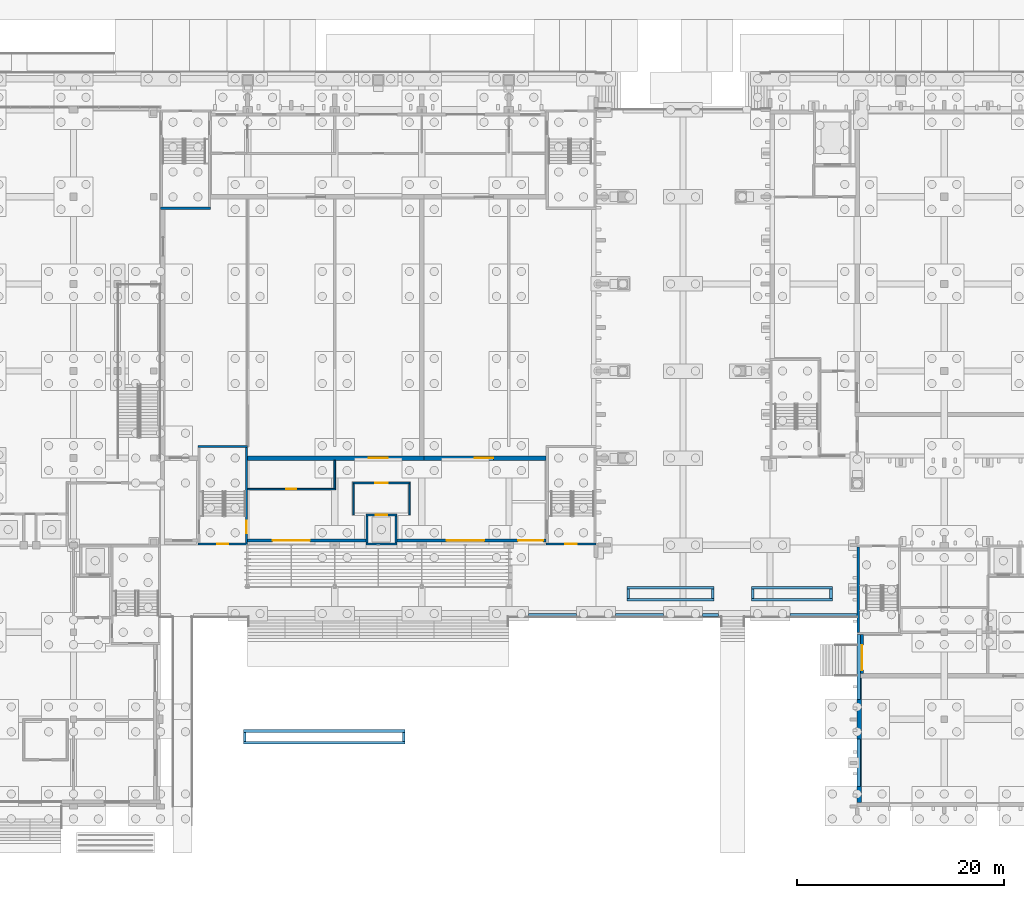
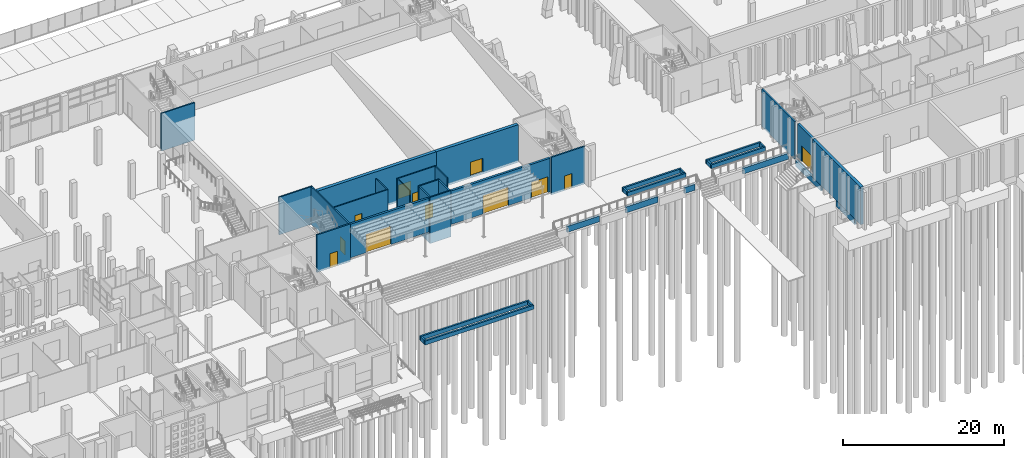
# One storey, part 48 of 129: 39 walls, 12 doors, 12 openings.
"""IFC4 building model written with IfcOpenShell, lengths in metres."""

from ifc_helpers import new_model, si_unit, direction, frame, frame_2d, origin, place, context, subcontext, project, spatial, rectangle, extrude, material, layer, layer_set, type_object, element, fill, save


model = new_model("IFC4")

# Units and contexts
model_context = context("Model", 3, precision=1e-05, world=origin(), true_north=direction((0.0, 1.0)))
body_context = subcontext(model_context, "Body", "Model", "MODEL_VIEW")
ifc_project = project(units=[si_unit("LENGTHUNIT", "METRE"), si_unit("AREAUNIT", "SQUARE_METRE"), si_unit("VOLUMEUNIT", "CUBIC_METRE"), si_unit("PLANEANGLEUNIT", "RADIAN"), si_unit("MASSUNIT", "GRAM", prefix="KILO")], contexts=[model_context])

# Site, building, storey
site_placement = place(None, origin())
site = spatial("IfcSite", under=ifc_project, at=site_placement, CompositionType="ELEMENT")
building_placement = place(site_placement, origin())
building = spatial("IfcBuilding", under=site, at=building_placement, Name="Kiln Court Media Centre", CompositionType="ELEMENT")
storey_placement = place(building_placement, origin())
storey = spatial("IfcBuildingStorey", under=building, at=storey_placement, Name="L00", CompositionType="ELEMENT", Elevation=0.0)

# Wall, opening, door
ifc_material_1 = material(Name="Concrete block masonry M7.5", Category="masonry")
ifc_layer_1 = layer(ifc_material_1, 0.14990234375)
ifc_layer_set_1 = layer_set([ifc_layer_1], Name="Block lobby wall 150 EI 120")
wall_type_1 = type_object("IfcWallType", Name="Block lobby wall 150 EI 120", PredefinedType="SOLIDWALL", material=ifc_layer_set_1)
wall_1_placement = place(storey_placement, frame((77.324951171875, 31.199951171875, 0.0), z_axis=(0.0, 0.0, 1.0), x_axis=(1.0, 0.0, 0.0)))
wall_1 = element("IfcWall", 1, at=wall_1_placement, inside=storey, type_object=wall_type_1, Name="L00 block lobby wall", PredefinedType="SOLIDWALL", context=body_context, shape_type="SweptSolid", body=[
    extrude(rectangle(XDim=5.550048828125, YDim=0.14990234375, at=frame_2d((2.77490234375, 0.0))), origin(), (0.0, 0.0, 1.0), 5.10009765625),
])
opening_1_placement = place(wall_1_placement, frame((2.175048828125, 0.0, 0.0)))
opening_1 = element("IfcOpeningElement", 2, at=opening_1_placement, cuts=wall_1, Name="Opening D0053", PredefinedType="OPENING", context=body_context, shape_type="SweptSolid", body=[
    extrude(rectangle(XDim=1.199951171875, YDim=2.10009765625, at=frame_2d((0.60009765625, 1.050048828125))), frame((0.0, 0.0849609375, 0.0), z_axis=(0.0, -1.0, 0.0), x_axis=(1.0, 0.0, 0.0)), (0.0, 0.0, 1.0), 0.169921875),
])
ifc_material_2 = material(Name="Steel S275", Category="steel")
door_type_1 = type_object("IfcDoorType", Name="Steel lobby door 1200 x 2100 FD120", OperationType="SINGLE_SWING_LEFT", PredefinedType="DOOR", material=ifc_material_2)
door_1_placement = place(opening_1_placement, origin())
door_1 = element("IfcDoor", 3, at=door_1_placement, inside=storey, type_object=door_type_1, Name="Cinema Foyer / Fire-fighting Lift Lobby", OperationType="SINGLE_SWING_LEFT", OverallHeight=2.10009765625, OverallWidth=1.199951171875, PredefinedType="DOOR", context=body_context, shape_type="SweptSolid", body=[
    extrude(rectangle(XDim=1.199951171875, YDim=2.10009765625, at=frame_2d((0.60009765625, 1.050048828125))), frame((0.0, 0.02490234375, 0.0), z_axis=(0.0, -1.0, 0.0), x_axis=(1.0, 0.0, 0.0)), (0.0, 0.0, 1.0), 0.050048828125),
])
fill(opening_1, door_1)

# Walls
for number, where, z_axis, x_axis, name in (
    (4, (77.39990234375, 28.125, 0.0), (0.0, 0.0, 1.0), (0.0, 1.0, 0.0), "L00 block lobby wall"),
    (5, (82.800048828125, 28.125, 0.0), (0.0, 0.0, 1.0), (0.0, 1.0, 0.0), "L00 block lobby wall"),
):
    element("IfcWall", number, at=place(storey_placement, frame(where, z_axis=z_axis, x_axis=x_axis)), inside=storey, type_object=wall_type_1, Name=name, PredefinedType="SOLIDWALL", context=body_context, shape_type="SweptSolid", body=[
        extrude(rectangle(XDim=3.0, YDim=0.14990234375, at=frame_2d((1.5, 0.0))), origin(), (0.0, 0.0, 1.0), 5.10009765625),
    ])
ifc_material_3 = material(Name="Concrete C30/37", Category="concrete")
ifc_layer_2 = layer(ifc_material_3, 0.25)
ifc_layer_set_2 = layer_set([ifc_layer_2], Name="Concrete C30/37 planter wall 250")
wall_type_2 = type_object("IfcWallType", Name="Concrete C30/37 planter wall 250", PredefinedType="PARAPET", material=ifc_layer_set_2)
for number, where, z_axis, x_axis, name in (
    (6, (103.800048828125, 19.925048828125, 0.0), (0.0, 0.0, 1.0), (1.0, 0.0, 0.0), "Forecourt planter 1 south wall"),
    (7, (103.800048828125, 21.074951171875, 0.0), (0.0, 0.0, 1.0), (1.0, 0.0, 0.0), "Forecourt planter 1 north wall"),
):
    element("IfcWall", number, at=place(storey_placement, frame(where, z_axis=z_axis, x_axis=x_axis)), inside=storey, type_object=wall_type_2, Name=name, PredefinedType="PARAPET", context=body_context, shape_type="SweptSolid", body=[
        extrude(rectangle(XDim=8.39990234375, YDim=0.25, at=frame_2d((4.199951171875, 0.0))), origin(), (0.0, 0.0, 1.0), 0.60009765625),
    ])
for number, where, z_axis, x_axis, name in (
    (8, (103.925048828125, 20.050048828125, 0.0), (0.0, 0.0, 1.0), (0.0, 1.0, 0.0), "Forecourt planter 1 west wall"),
    (9, (112.074951171875, 20.050048828125, 0.0), (0.0, 0.0, 1.0), (0.0, 1.0, 0.0), "Forecourt planter 1 east wall"),
):
    element("IfcWall", number, at=place(storey_placement, frame(where, z_axis=z_axis, x_axis=x_axis)), inside=storey, type_object=wall_type_2, Name=name, PredefinedType="PARAPET", context=body_context, shape_type="SweptSolid", body=[
        extrude(rectangle(XDim=0.89990234375, YDim=0.25, at=frame_2d((0.449951171875, 0.0))), origin(), (0.0, 0.0, 1.0), 0.60009765625),
    ])
for number, where, z_axis, x_axis, name in (
    (10, (115.800048828125, 19.925048828125, 0.0), (0.0, 0.0, 1.0), (1.0, 0.0, 0.0), "Forecourt planter 2 south wall"),
    (11, (115.800048828125, 21.074951171875, 0.0), (0.0, 0.0, 1.0), (1.0, 0.0, 0.0), "Forecourt planter 2 north wall"),
):
    element("IfcWall", number, at=place(storey_placement, frame(where, z_axis=z_axis, x_axis=x_axis)), inside=storey, type_object=wall_type_2, Name=name, PredefinedType="PARAPET", context=body_context, shape_type="SweptSolid", body=[
        extrude(rectangle(XDim=7.800048828125, YDim=0.25, at=frame_2d((3.89990234375, 0.0))), origin(), (0.0, 0.0, 1.0), 0.60009765625),
    ])
for number, where, z_axis, x_axis, name in (
    (12, (115.925048828125, 20.050048828125, 0.0), (0.0, 0.0, 1.0), (0.0, 1.0, 0.0), "Forecourt planter 2 west wall"),
    (13, (123.47509765625, 20.050048828125, 0.0), (0.0, 0.0, 1.0), (0.0, 1.0, 0.0), "Forecourt planter 2 east wall"),
):
    element("IfcWall", number, at=place(storey_placement, frame(where, z_axis=z_axis, x_axis=x_axis)), inside=storey, type_object=wall_type_2, Name=name, PredefinedType="PARAPET", context=body_context, shape_type="SweptSolid", body=[
        extrude(rectangle(XDim=0.89990234375, YDim=0.25, at=frame_2d((0.449951171875, 0.0))), origin(), (0.0, 0.0, 1.0), 0.60009765625),
    ])
for number, where, z_axis, x_axis, name in (
    (14, (66.800048828125, 6.125, -1.199951171875), (0.0, 0.0, 1.0), (1.0, 0.0, 0.0), "Plaza planter 1 south wall"),
    (15, (66.800048828125, 7.27490234375, -1.199951171875), (0.0, 0.0, 1.0), (1.0, 0.0, 0.0), "Plaza planter 1 north wall"),
):
    element("IfcWall", number, at=place(storey_placement, frame(where, z_axis=z_axis, x_axis=x_axis)), inside=storey, type_object=wall_type_2, Name=name, PredefinedType="PARAPET", context=body_context, shape_type="SweptSolid", body=[
        extrude(rectangle(XDim=15.599853515625, YDim=0.25, at=frame_2d((7.7998046875, 0.0))), origin(), (0.0, 0.0, 1.0), 0.599853515625),
    ])
for number, where, z_axis, x_axis, name in (
    (16, (66.925048828125, 6.25, -1.199951171875), (0.0, 0.0, 1.0), (0.0, 1.0, 0.0), "Plaza planter 1 west wall"),
    (17, (82.27490234375, 6.25, -1.199951171875), (0.0, 0.0, 1.0), (0.0, 1.0, 0.0), "Plaza planter 1 east wall"),
):
    element("IfcWall", number, at=place(storey_placement, frame(where, z_axis=z_axis, x_axis=x_axis)), inside=storey, type_object=wall_type_2, Name=name, PredefinedType="PARAPET", context=body_context, shape_type="SweptSolid", body=[
        extrude(rectangle(XDim=0.89990234375, YDim=0.25, at=frame_2d((0.449951171875, 0.0))), origin(), (0.0, 0.0, 1.0), 0.599853515625),
    ])
ifc_material_4 = material(Name="Concrete C30/37", Category="concrete")
ifc_layer_3 = layer(ifc_material_4, 0.300048828125)
ifc_layer_set_3 = layer_set([ifc_layer_3], Name="Concrete C30/37 plinth wall 300")
wall_type_3 = type_object("IfcWallType", Name="Concrete C30/37 plinth wall 300", PredefinedType="SOLIDWALL", material=ifc_layer_set_3)
wall_2_placement = place(storey_placement, frame((98.89990234375, 18.449951171875, -1.199951171875), z_axis=(0.0, 0.0, 1.0), x_axis=(-1.0, 0.0, 0.0)))
element("IfcWall", 18, at=wall_2_placement, inside=storey, type_object=wall_type_3, Name="L00-W-1176", PredefinedType="SOLIDWALL", context=body_context, shape_type="SweptSolid", body=[
    extrude(rectangle(XDim=4.599853515625, YDim=0.300048828125, at=frame_2d((2.2998046875, 0.0))), origin(), (0.0, 0.0, 1.0), 0.89990234375),
])
wall_3_placement = place(storey_placement, frame((107.300048828125, 18.449951171875, -1.199951171875), z_axis=(0.0, 0.0, 1.0), x_axis=(-1.0, 0.0, 0.0)))
element("IfcWall", 19, at=wall_3_placement, inside=storey, type_object=wall_type_3, Name="L00-W-1177", PredefinedType="SOLIDWALL", context=body_context, shape_type="SweptSolid", body=[
    extrude(rectangle(XDim=4.60009765625, YDim=0.300048828125, at=frame_2d((2.300048828125, 0.0))), origin(), (0.0, 0.0, 1.0), 0.89990234375),
])
wall_4_placement = place(storey_placement, frame((112.60009765625, 18.449951171875, -1.199951171875), z_axis=(0.0, 0.0, 1.0), x_axis=(-1.0, 0.0, 0.0)))
element("IfcWall", 20, at=wall_4_placement, inside=storey, type_object=wall_type_3, Name="L00-W-1178", PredefinedType="SOLIDWALL", context=body_context, shape_type="SweptSolid", body=[
    extrude(rectangle(XDim=1.5, YDim=0.300048828125, at=frame_2d((0.75, 0.0))), origin(), (0.0, 0.0, 1.0), 0.89990234375),
])
wall_5_placement = place(storey_placement, frame((125.9990234375, 18.449951171875, -1.199951171875), z_axis=(0.0, 0.0, 1.0), x_axis=(-1.0, 0.0, 0.0)))
element("IfcWall", 21, at=wall_5_placement, inside=storey, type_object=wall_type_3, Name="L00-W-1179", PredefinedType="SOLIDWALL", context=body_context, shape_type="SweptSolid", body=[
    extrude(rectangle(XDim=6.4990234375, YDim=0.300048828125, at=frame_2d((3.24951171875, 0.0))), origin(), (0.0, 0.0, 1.0), 0.89990234375),
])
wall_6_placement = place(storey_placement, frame((126.14990234375, 1.89990234375, -1.199951171875), z_axis=(0.0, 0.0, 1.0), x_axis=(0.0, 1.0, 0.0)))
element("IfcWall", 22, at=wall_6_placement, inside=storey, type_object=wall_type_3, Name="L00-W-1180", PredefinedType="SOLIDWALL", context=body_context, shape_type="SweptSolid", body=[
    extrude(rectangle(XDim=4.60009765625, YDim=0.300048828125, at=frame_2d((2.300048828125, 0.0))), origin(), (0.0, 0.0, 1.0), 0.89990234375),
])
wall_7_placement = place(storey_placement, frame((126.14990234375, 10.300048828125, -1.199951171875), z_axis=(0.0, 0.0, 1.0), x_axis=(0.0, 1.0, 0.0)))
element("IfcWall", 23, at=wall_7_placement, inside=storey, type_object=wall_type_3, Name="L00-W-1181", PredefinedType="SOLIDWALL", context=body_context, shape_type="SweptSolid", body=[
    extrude(rectangle(XDim=6.300048828125, YDim=0.300048828125, at=frame_2d((3.14990234375, 0.0))), origin(), (0.0, 0.0, 1.0), 0.89990234375),
])

# Wall, opening, door
ifc_material_5 = material(Name="Concrete C40/50", Category="concrete")
ifc_layer_4 = layer(ifc_material_5, 0.449951171875)
ifc_layer_set_4 = layer_set([ifc_layer_4], Name="Concrete C40/50 auditorium wall 450")
wall_type_4 = type_object("IfcWallType", Name="Concrete C40/50 auditorium wall 450", PredefinedType="SHEAR", material=ifc_layer_set_4)
wall_8_placement = place(storey_placement, frame((84.22509765625, 33.60009765625, -0.300048828125), z_axis=(0.0, 0.0, 1.0), x_axis=(-1.0, 0.0, 0.0)))
wall_8 = element("IfcWall", 24, at=wall_8_placement, inside=storey, type_object=wall_type_4, Name="L00-W-1111", PredefinedType="SHEAR", context=body_context, shape_type="SweptSolid", body=[
    extrude(rectangle(XDim=17.025146484375, YDim=0.449951171875, at=frame_2d((8.5126953125, 0.0))), origin(), (0.0, 0.0, 1.0), 5.699951171875),
])
opening_2_placement = place(wall_8_placement, frame((3.525146484375, 0.0, 0.300048828125)))
opening_2 = element("IfcOpeningElement", 25, at=opening_2_placement, cuts=wall_8, Name="Opening D0075", PredefinedType="OPENING", context=body_context, shape_type="SweptSolid", body=[
    extrude(rectangle(XDim=1.800048828125, YDim=2.10009765625, at=frame_2d((0.89990234375, 1.050048828125))), frame((0.0, 0.23486328125, 0.0), z_axis=(0.0, -1.0, 0.0), x_axis=(1.0, 0.0, 0.0)), (0.0, 0.0, 1.0), 0.469970703125),
])
ifc_material_6 = material(Name="Steel S275", Category="steel")
door_type_2 = type_object("IfcDoorType", Name="Acoustic cinema double door 1800 x 2100 FD180", OperationType="DOUBLE_DOOR_SINGLE_SWING", PredefinedType="DOOR", material=ifc_material_6)
door_2_placement = place(opening_2_placement, origin())
door_2 = element("IfcDoor", 26, at=door_2_placement, inside=storey, type_object=door_type_2, Name="Cinema Foyer / Cinema Screen 1", OperationType="DOUBLE_DOOR_SINGLE_SWING", OverallHeight=2.10009765625, OverallWidth=1.800048828125, PredefinedType="DOOR", context=body_context, shape_type="SweptSolid", body=[
    extrude(rectangle(XDim=1.800048828125, YDim=2.10009765625, at=frame_2d((0.89990234375, 1.050048828125))), frame((0.0, 0.02490234375, 0.0), z_axis=(0.0, -1.0, 0.0), x_axis=(1.0, 0.0, 0.0)), (0.0, 0.0, 1.0), 0.050048828125),
])
fill(opening_2, door_2)

wall_9_placement = place(storey_placement, frame((96.0, 33.60009765625, -0.300048828125), z_axis=(0.0, 0.0, 1.0), x_axis=(-1.0, 0.0, 0.0)))
wall_9 = element("IfcWall", 27, at=wall_9_placement, inside=storey, type_object=wall_type_4, Name="L00-W-1115", PredefinedType="SHEAR", context=body_context, shape_type="SweptSolid", body=[
    extrude(rectangle(XDim=11.77490234375, YDim=0.449951171875, at=frame_2d((5.887451171875, 0.0))), origin(), (0.0, 0.0, 1.0), 5.699951171875),
])
opening_3_placement = place(wall_9_placement, frame((5.10009765625, 0.0, 0.300048828125)))
opening_3 = element("IfcOpeningElement", 28, at=opening_3_placement, cuts=wall_9, Name="Opening D0054", PredefinedType="OPENING", context=body_context, shape_type="SweptSolid", body=[
    extrude(rectangle(XDim=1.800048828125, YDim=2.10009765625, at=frame_2d((0.89990234375, 1.050048828125))), frame((0.0, 0.23486328125, 0.0), z_axis=(0.0, -1.0, 0.0), x_axis=(1.0, 0.0, 0.0)), (0.0, 0.0, 1.0), 0.469970703125),
])
door_3_placement = place(opening_3_placement, origin())
door_3 = element("IfcDoor", 29, at=door_3_placement, inside=storey, type_object=door_type_2, Name="Cinema Foyer / Cinema Screen 2", OperationType="DOUBLE_DOOR_SINGLE_SWING", OverallHeight=2.10009765625, OverallWidth=1.800048828125, PredefinedType="DOOR", context=body_context, shape_type="SweptSolid", body=[
    extrude(rectangle(XDim=1.800048828125, YDim=2.10009765625, at=frame_2d((0.89990234375, 1.050048828125))), frame((0.0, 0.02490234375, 0.0), z_axis=(0.0, -1.0, 0.0), x_axis=(1.0, 0.0, 0.0)), (0.0, 0.0, 1.0), 0.050048828125),
])
fill(opening_3, door_3)

ifc_material_7 = material(Name="Concrete C40/50", Category="concrete")
ifc_layer_5 = layer(ifc_material_7, 0.300048828125)
ifc_layer_set_5 = layer_set([ifc_layer_5], Name="Concrete C40/50 board-marked facade wall 300")
wall_type_5 = type_object("IfcWallType", Name="Concrete C40/50 board-marked facade wall 300", PredefinedType="SOLIDWALL", material=ifc_layer_set_5)
wall_10_placement = place(storey_placement, frame((78.60009765625, 25.64990234375, 0.0), z_axis=(0.0, 0.0, 1.0), x_axis=(-1.0, 0.0, 0.0)))
wall_10 = element("IfcWall", 30, at=wall_10_placement, inside=storey, type_object=wall_type_5, Name="V1 S facade wall 4003", PredefinedType="SOLIDWALL", context=body_context, shape_type="SweptSolid", body=[
    extrude(rectangle(XDim=11.400146484375, YDim=0.300048828125, at=frame_2d((5.7001953125, 0.0))), origin(), (0.0, 0.0, 1.0), 5.10009765625),
])
opening_4_placement = place(wall_10_placement, frame((5.39990234375, 0.0, 0.0)))
opening_4 = element("IfcOpeningElement", 31, at=opening_4_placement, cuts=wall_10, Name="Opening D0760", PredefinedType="OPENING", context=body_context, shape_type="SweptSolid", body=[
    extrude(rectangle(XDim=3.60009765625, YDim=2.800048828125, at=frame_2d((1.800048828125, 1.39990234375))), frame((0.0, 0.159912109375, 0.0), z_axis=(0.0, -1.0, 0.0), x_axis=(1.0, 0.0, 0.0)), (0.0, 0.0, 1.0), 0.320068359375),
])
ifc_material_8 = material(Name="Aluminium 6063-T6", Category="aluminium")
door_type_3 = type_object("IfcDoorType", Name="Aluminium glazed entrance door 3600x2800", OperationType="DOUBLE_DOOR_DOUBLE_SWING", PredefinedType="DOOR", material=ifc_material_8)
door_4_placement = place(opening_4_placement, origin())
door_4 = element("IfcDoor", 32, at=door_4_placement, inside=storey, type_object=door_type_3, Name="EN-08 entrance door 1", OperationType="DOUBLE_DOOR_DOUBLE_SWING", OverallHeight=2.800048828125, OverallWidth=3.60009765625, PredefinedType="DOOR", context=body_context, shape_type="SweptSolid", body=[
    extrude(rectangle(XDim=3.60009765625, YDim=2.800048828125, at=frame_2d((1.800048828125, 1.39990234375))), frame((0.0, 0.02490234375, 0.0), z_axis=(0.0, -1.0, 0.0), x_axis=(1.0, 0.0, 0.0)), (0.0, 0.0, 1.0), 0.050048828125),
])
fill(opening_4, door_4)

# Wall, openings, doors
wall_11_placement = place(storey_placement, frame((96.0, 25.64990234375, 0.0), z_axis=(0.0, 0.0, 1.0), x_axis=(-1.0, 0.0, 0.0)))
wall_11 = element("IfcWall", 33, at=wall_11_placement, inside=storey, type_object=wall_type_5, Name="V1 S facade wall 4004", PredefinedType="SOLIDWALL", context=body_context, shape_type="SweptSolid", body=[
    extrude(rectangle(XDim=14.39990234375, YDim=0.300048828125, at=frame_2d((7.199951171875, 0.0))), origin(), (0.0, 0.0, 1.0), 5.10009765625),
])
opening_5_placement = place(wall_11_placement, frame((6.0, 0.0, 0.0)))
opening_5 = element("IfcOpeningElement", 34, at=opening_5_placement, cuts=wall_11, Name="Opening D0761", PredefinedType="OPENING", context=body_context, shape_type="SweptSolid", body=[
    extrude(rectangle(XDim=3.60009765625, YDim=2.800048828125, at=frame_2d((1.800048828125, 1.39990234375))), frame((0.0, 0.159912109375, 0.0), z_axis=(0.0, -1.0, 0.0), x_axis=(1.0, 0.0, 0.0)), (0.0, 0.0, 1.0), 0.320068359375),
])
opening_6_placement = place(wall_11_placement, frame((0.300048828125, 0.0, 0.0)))
opening_6 = element("IfcOpeningElement", 35, at=opening_6_placement, cuts=wall_11, Name="Opening D0762", PredefinedType="OPENING", context=body_context, shape_type="SweptSolid", body=[
    extrude(rectangle(XDim=2.39990234375, YDim=2.39990234375, at=frame_2d((1.199951171875, 1.199951171875))), frame((0.0, 0.159912109375, 0.0), z_axis=(0.0, -1.0, 0.0), x_axis=(1.0, 0.0, 0.0)), (0.0, 0.0, 1.0), 0.320068359375),
])
ifc_material_9 = material(Name="Aluminium 6063-T6", Category="aluminium")
door_type_4 = type_object("IfcDoorType", Name="Aluminium glazed entrance door 2400x2400", OperationType="DOUBLE_DOOR_DOUBLE_SWING", PredefinedType="DOOR", material=ifc_material_9)
door_5_placement = place(opening_6_placement, origin())
door_5 = element("IfcDoor", 36, at=door_5_placement, inside=storey, type_object=door_type_4, Name="EN-13 entrance door 1", OperationType="DOUBLE_DOOR_DOUBLE_SWING", OverallHeight=2.39990234375, OverallWidth=2.39990234375, PredefinedType="DOOR", context=body_context, shape_type="SweptSolid", body=[
    extrude(rectangle(XDim=2.39990234375, YDim=2.39990234375, at=frame_2d((1.199951171875, 1.199951171875))), frame((0.0, 0.02490234375, 0.0), z_axis=(0.0, -1.0, 0.0), x_axis=(1.0, 0.0, 0.0)), (0.0, 0.0, 1.0), 0.050048828125),
])
fill(opening_6, door_5)
door_6_placement = place(opening_5_placement, origin())
door_6 = element("IfcDoor", 37, at=door_6_placement, inside=storey, type_object=door_type_3, Name="EN-09 entrance door 1", OperationType="DOUBLE_DOOR_DOUBLE_SWING", OverallHeight=2.800048828125, OverallWidth=3.60009765625, PredefinedType="DOOR", context=body_context, shape_type="SweptSolid", body=[
    extrude(rectangle(XDim=3.60009765625, YDim=2.800048828125, at=frame_2d((1.800048828125, 1.39990234375))), frame((0.0, 0.02490234375, 0.0), z_axis=(0.0, -1.0, 0.0), x_axis=(1.0, 0.0, 0.0)), (0.0, 0.0, 1.0), 0.050048828125),
])
fill(opening_5, door_6)

# Wall, opening, door
wall_12_placement = place(storey_placement, frame((126.449951171875, 12.800048828125, 0.0), z_axis=(0.0, 0.0, 1.0), x_axis=(0.0, 1.0, 0.0)))
wall_12 = element("IfcWall", 38, at=wall_12_placement, inside=storey, type_object=wall_type_5, Name="V5 W facade wall 4012", PredefinedType="SOLIDWALL", context=body_context, shape_type="SweptSolid", body=[
    extrude(rectangle(XDim=3.800048828125, YDim=0.300048828125, at=frame_2d((1.89990234375, 0.0))), origin(), (0.0, 0.0, 1.0), 5.10009765625),
])
opening_7_placement = place(wall_12_placement, frame((0.35009765625, 0.0, 0.0)))
opening_7 = element("IfcOpeningElement", 39, at=opening_7_placement, cuts=wall_12, Name="Opening D0782", PredefinedType="OPENING", context=body_context, shape_type="SweptSolid", body=[
    extrude(rectangle(XDim=2.39990234375, YDim=2.39990234375, at=frame_2d((1.199951171875, 1.199951171875))), frame((0.0, 0.159912109375, 0.0), z_axis=(0.0, -1.0, 0.0), x_axis=(1.0, 0.0, 0.0)), (0.0, 0.0, 1.0), 0.320068359375),
])
door_7_placement = place(opening_7_placement, origin())
door_7 = element("IfcDoor", 40, at=door_7_placement, inside=storey, type_object=door_type_4, Name="EN-10 entrance door 1", OperationType="DOUBLE_DOOR_DOUBLE_SWING", OverallHeight=2.39990234375, OverallWidth=2.39990234375, PredefinedType="DOOR", context=body_context, shape_type="SweptSolid", body=[
    extrude(rectangle(XDim=2.39990234375, YDim=2.39990234375, at=frame_2d((1.199951171875, 1.199951171875))), frame((0.0, 0.02490234375, 0.0), z_axis=(0.0, -1.0, 0.0), x_axis=(1.0, 0.0, 0.0)), (0.0, 0.0, 1.0), 0.050048828125),
])
fill(opening_7, door_7)

ifc_material_10 = material(Name="Concrete C40/50", Category="concrete")
ifc_layer_6 = layer(ifc_material_10, 0.199951171875)
ifc_layer_set_6 = layer_set([ifc_layer_6], Name="Concrete C40/50 shear wall 200")
wall_type_6 = type_object("IfcWallType", Name="Concrete C40/50 shear wall 200", PredefinedType="SHEAR", material=ifc_layer_set_6)
wall_13_placement = place(storey_placement, frame((67.199951171875, 25.300048828125, -0.300048828125), z_axis=(0.0, 0.0, 1.0), x_axis=(-1.0, 0.0, 0.0)))
wall_13 = element("IfcWall", 41, at=wall_13_placement, inside=storey, type_object=wall_type_6, Name="L00-W-1032", PredefinedType="SHEAR", context=body_context, shape_type="SweptSolid", body=[
    extrude(rectangle(XDim=4.800048828125, YDim=0.199951171875, at=frame_2d((2.39990234375, 0.0))), origin(), (0.0, 0.0, 1.0), 5.699951171875),
])
opening_8_placement = place(wall_13_placement, frame((1.85009765625, 0.0, 0.0)))
opening_8 = element("IfcOpeningElement", 42, at=opening_8_placement, cuts=wall_13, Name="Opening D0757", PredefinedType="OPENING", context=body_context, shape_type="SweptSolid", body=[
    extrude(rectangle(XDim=1.10009765625, YDim=2.199951171875, at=frame_2d((0.550048828125, 1.10009765625))), frame((0.0, 0.10986328125, 0.0), z_axis=(0.0, -1.0, 0.0), x_axis=(1.0, 0.0, 0.0)), (0.0, 0.0, 1.0), 0.219970703125),
])
ifc_material_11 = material(Name="Steel ASTM A572 Gr 50", Category="steel")
door_type_5 = type_object("IfcDoorType", Name="Steel hall exit door 1100x2200", OperationType="SINGLE_SWING_LEFT", PredefinedType="DOOR", material=ifc_material_11)
door_8_placement = place(opening_8_placement, origin())
door_8 = element("IfcDoor", 43, at=door_8_placement, inside=storey, type_object=door_type_5, Name="ST-09 exit door", OperationType="SLIDING_TO_LEFT", OverallHeight=2.199951171875, OverallWidth=1.10009765625, PredefinedType="DOOR", context=body_context, shape_type="SweptSolid", body=[
    extrude(rectangle(XDim=1.10009765625, YDim=2.199951171875, at=frame_2d((0.550048828125, 1.10009765625))), frame((0.0, 0.02490234375, 0.0), z_axis=(0.0, -1.0, 0.0), x_axis=(1.0, 0.0, 0.0)), (0.0, 0.0, 1.0), 0.050048828125),
])
fill(opening_8, door_8)

# Wall
wall_14_placement = place(storey_placement, frame((62.39990234375, 34.699951171875, -0.300048828125), z_axis=(0.0, 0.0, 1.0), x_axis=(1.0, 0.0, 0.0)))
element("IfcWall", 44, at=wall_14_placement, inside=storey, type_object=wall_type_6, Name="L00-W-1033", PredefinedType="SHEAR", context=body_context, shape_type="SweptSolid", body=[
    extrude(rectangle(XDim=4.800048828125, YDim=0.199951171875, at=frame_2d((2.39990234375, 0.0))), origin(), (0.0, 0.0, 1.0), 5.699951171875),
])

# Wall, opening, door
wall_15_placement = place(storey_placement, frame((67.10009765625, 34.60009765625, -0.300048828125), z_axis=(0.0, 0.0, 1.0), x_axis=(0.0, -1.0, 0.0)))
wall_15 = element("IfcWall", 45, at=wall_15_placement, inside=storey, type_object=wall_type_6, Name="L00-W-1035", PredefinedType="SHEAR", context=body_context, shape_type="SweptSolid", body=[
    extrude(rectangle(XDim=9.2001953125, YDim=0.199951171875, at=frame_2d((4.60009765625, 0.0))), origin(), (0.0, 0.0, 1.0), 5.699951171875),
])
opening_9_placement = place(wall_15_placement, frame((7.050048828125, 0.0, 0.300048828125)))
opening_9 = element("IfcOpeningElement", 46, at=opening_9_placement, cuts=wall_15, Name="Opening D0002", PredefinedType="OPENING", context=body_context, shape_type="SweptSolid", body=[
    extrude(rectangle(XDim=1.199951171875, YDim=2.10009765625, at=frame_2d((0.60009765625, 1.050048828125))), frame((0.0, 0.10986328125, 0.0), z_axis=(0.0, -1.0, 0.0), x_axis=(1.0, 0.0, 0.0)), (0.0, 0.0, 1.0), 0.219970703125),
])
ifc_material_12 = material(Name="Steel S275", Category="steel")
door_type_6 = type_object("IfcDoorType", Name="Steel stair door 1200 x 2100 FD180", OperationType="SINGLE_SWING_LEFT", PredefinedType="DOOR", material=ifc_material_12)
door_9_placement = place(opening_9_placement, origin())
door_9 = element("IfcDoor", 47, at=door_9_placement, inside=storey, type_object=door_type_6, Name="Stair 9 / Cinema Foyer West", OperationType="SINGLE_SWING_LEFT", OverallHeight=2.10009765625, OverallWidth=1.199951171875, PredefinedType="DOOR", context=body_context, shape_type="SweptSolid", body=[
    extrude(rectangle(XDim=1.199951171875, YDim=2.10009765625, at=frame_2d((0.60009765625, 1.050048828125))), frame((0.0, 0.02490234375, 0.0), z_axis=(0.0, -1.0, 0.0), x_axis=(1.0, 0.0, 0.0)), (0.0, 0.0, 1.0), 0.050048828125),
])
fill(opening_9, door_9)

wall_16_placement = place(storey_placement, frame((100.800048828125, 25.300048828125, -0.300048828125), z_axis=(0.0, 0.0, 1.0), x_axis=(-1.0, 0.0, 0.0)))
wall_16 = element("IfcWall", 48, at=wall_16_placement, inside=storey, type_object=wall_type_6, Name="L00-W-1036", PredefinedType="SHEAR", context=body_context, shape_type="SweptSolid", body=[
    extrude(rectangle(XDim=4.800048828125, YDim=0.199951171875, at=frame_2d((2.39990234375, 0.0))), origin(), (0.0, 0.0, 1.0), 5.699951171875),
])
opening_10_placement = place(wall_16_placement, frame((1.85009765625, 0.0, 0.0)))
opening_10 = element("IfcOpeningElement", 49, at=opening_10_placement, cuts=wall_16, Name="Opening D0758", PredefinedType="OPENING", context=body_context, shape_type="SweptSolid", body=[
    extrude(rectangle(XDim=1.10009765625, YDim=2.199951171875, at=frame_2d((0.550048828125, 1.10009765625))), frame((0.0, 0.10986328125, 0.0), z_axis=(0.0, -1.0, 0.0), x_axis=(1.0, 0.0, 0.0)), (0.0, 0.0, 1.0), 0.219970703125),
])
door_10_placement = place(opening_10_placement, origin())
door_10 = element("IfcDoor", 50, at=door_10_placement, inside=storey, type_object=door_type_5, Name="ST-10 exit door", OperationType="SLIDING_TO_LEFT", OverallHeight=2.199951171875, OverallWidth=1.10009765625, PredefinedType="DOOR", context=body_context, shape_type="SweptSolid", body=[
    extrude(rectangle(XDim=1.10009765625, YDim=2.199951171875, at=frame_2d((0.550048828125, 1.10009765625))), frame((0.0, 0.02490234375, 0.0), z_axis=(0.0, -1.0, 0.0), x_axis=(1.0, 0.0, 0.0)), (0.0, 0.0, 1.0), 0.050048828125),
])
fill(opening_10, door_10)

# Walls
wall_17_placement = place(storey_placement, frame((63.60009765625, 57.699951171875, -0.300048828125), z_axis=(0.0, 0.0, 1.0), x_axis=(-1.0, 0.0, 0.0)))
element("IfcWall", 51, at=wall_17_placement, inside=storey, type_object=wall_type_6, Name="L00-W-1040", PredefinedType="SHEAR", context=body_context, shape_type="SweptSolid", body=[
    extrude(rectangle(XDim=4.800048828125, YDim=0.199951171875, at=frame_2d((2.39990234375, 0.0))), origin(), (0.0, 0.0, 1.0), 5.699951171875),
])
wall_18_placement = place(storey_placement, frame((126.10009765625, 16.800048828125, -0.300048828125), z_axis=(0.0, 0.0, 1.0), x_axis=(0.0, 1.0, 0.0)))
element("IfcWall", 52, at=wall_18_placement, inside=storey, type_object=wall_type_6, Name="L00-W-1062", PredefinedType="SHEAR", context=body_context, shape_type="SweptSolid", body=[
    extrude(rectangle(XDim=8.199951171875, YDim=0.199951171875, at=frame_2d((4.10009765625, 0.0))), origin(), (0.0, 0.0, 1.0), 5.699951171875),
])
wall_19_placement = place(storey_placement, frame((81.60009765625, 25.300048828125, -1.60009765625), z_axis=(0.0, 0.0, 1.0), x_axis=(-1.0, 0.0, 0.0)))
element("IfcWall", 53, at=wall_19_placement, inside=storey, type_object=wall_type_6, Name="L00-W-1090", PredefinedType="SHEAR", context=body_context, shape_type="SweptSolid", body=[
    extrude(rectangle(XDim=3.0, YDim=0.199951171875, at=frame_2d((1.5, 0.0))), origin(), (0.0, 0.0, 1.0), 7.0),
])

# Wall, opening, door
wall_20_placement = place(storey_placement, frame((78.60009765625, 28.10009765625, -1.60009765625), z_axis=(0.0, 0.0, 1.0), x_axis=(1.0, 0.0, 0.0)))
wall_20 = element("IfcWall", 54, at=wall_20_placement, inside=storey, type_object=wall_type_6, Name="L00-W-1091", PredefinedType="SHEAR", context=body_context, shape_type="SweptSolid", body=[
    extrude(rectangle(XDim=3.0, YDim=0.199951171875, at=frame_2d((1.5, 0.0))), origin(), (0.0, 0.0, 1.0), 7.0),
])
opening_11_placement = place(wall_20_placement, frame((0.949951171875, 0.0, 1.60009765625)))
opening_11 = element("IfcOpeningElement", 55, at=opening_11_placement, cuts=wall_20, Name="Opening LD009", PredefinedType="OPENING", context=body_context, shape_type="SweptSolid", body=[
    extrude(rectangle(XDim=1.10009765625, YDim=2.10009765625, at=frame_2d((0.550048828125, 1.050048828125))), frame((0.0, 0.10986328125, 0.0), z_axis=(0.0, -1.0, 0.0), x_axis=(1.0, 0.0, 0.0)), (0.0, 0.0, 1.0), 0.219970703125),
])
ifc_material_13 = material(Name="Stainless steel", Category="steel")
door_type_7 = type_object("IfcDoorType", Name="Firefighting lift landing door 1100 x 2100 FD120", OperationType="SLIDING_TO_LEFT", PredefinedType="DOOR", material=ifc_material_13)
door_11_placement = place(opening_11_placement, origin())
door_11 = element("IfcDoor", 56, at=door_11_placement, inside=storey, type_object=door_type_7, Name="LF-09 landing door L00", OperationType="SLIDING_TO_LEFT", OverallHeight=2.10009765625, OverallWidth=1.10009765625, PredefinedType="DOOR", context=body_context, shape_type="SweptSolid", body=[
    extrude(rectangle(XDim=1.10009765625, YDim=2.10009765625, at=frame_2d((0.550048828125, 1.050048828125))), frame((0.0, 0.02490234375, 0.0), z_axis=(0.0, -1.0, 0.0), x_axis=(1.0, 0.0, 0.0)), (0.0, 0.0, 1.0), 0.050048828125),
])
fill(opening_11, door_11)

# Walls
for number, where, z_axis, x_axis, name in (
    (57, (78.699951171875, 25.39990234375, -1.60009765625), (0.0, 0.0, 1.0), (0.0, 1.0, 0.0), "L00-W-1092"),
    (58, (81.5, 28.0, -1.60009765625), (0.0, 0.0, 1.0), (0.0, -1.0, 0.0), "L00-W-1093"),
):
    element("IfcWall", number, at=place(storey_placement, frame(where, z_axis=z_axis, x_axis=x_axis)), inside=storey, type_object=wall_type_6, Name=name, PredefinedType="SHEAR", context=body_context, shape_type="SweptSolid", body=[
        extrude(rectangle(XDim=2.60009765625, YDim=0.199951171875, at=frame_2d((1.300048828125, 0.0))), origin(), (0.0, 0.0, 1.0), 7.0),
    ])
ifc_material_14 = material(Name="Concrete C40/50", Category="concrete")
ifc_layer_7 = layer(ifc_material_14, 0.39990234375)
ifc_layer_set_7 = layer_set([ifc_layer_7], Name="Concrete C40/50 studio wall 400")
wall_type_7 = type_object("IfcWallType", Name="Concrete C40/50 studio wall 400", PredefinedType="SHEAR", material=ifc_layer_set_7)
wall_21_placement = place(storey_placement, frame((126.199951171875, 0.39990234375, -0.300048828125), z_axis=(0.0, 0.0, 1.0), x_axis=(0.0, 1.0, 0.0)))
element("IfcWall", 59, at=wall_21_placement, inside=storey, type_object=wall_type_7, Name="L00-W-1134", PredefinedType="SHEAR", context=body_context, shape_type="SweptSolid", body=[
    extrude(rectangle(XDim=12.0, YDim=0.39990234375, at=frame_2d((6.0, 0.0))), origin(), (0.0, 0.0, 1.0), 5.699951171875),
])

# Wall, opening, door
ifc_material_15 = material(Name="Gypsum plasterboard", Category="gypsum")
ifc_layer_8 = layer(ifc_material_15, 0.14990234375)
ifc_layer_set_8 = layer_set([ifc_layer_8], Name="Gypsum corridor partition 150 EI 60")
wall_type_8 = type_object("IfcWallType", Name="Gypsum corridor partition 150 EI 60", PredefinedType="PARTITIONING", material=ifc_layer_set_8)
wall_22_placement = place(storey_placement, frame((67.2001953125, 30.60009765625, 0.0), z_axis=(0.0, 0.0, 1.0), x_axis=(1.0, 0.0, 0.0)))
wall_22 = element("IfcWall", 60, at=wall_22_placement, inside=storey, type_object=wall_type_8, Name="L00 gypsum corridor partition", PredefinedType="PARTITIONING", context=body_context, shape_type="SweptSolid", body=[
    extrude(rectangle(XDim=8.474853515625, YDim=0.14990234375, at=frame_2d((4.2373046875, 0.0))), origin(), (0.0, 0.0, 1.0), 4.39990234375),
])
opening_12_placement = place(wall_22_placement, frame((3.699951171875, 0.0, 0.0)))
opening_12 = element("IfcOpeningElement", 61, at=opening_12_placement, cuts=wall_22, Name="Opening D0028", PredefinedType="OPENING", context=body_context, shape_type="SweptSolid", body=[
    extrude(rectangle(XDim=1.0, YDim=2.10009765625, at=frame_2d((0.5, 1.050048828125))), frame((0.0, 0.0849609375, 0.0), z_axis=(0.0, -1.0, 0.0), x_axis=(1.0, 0.0, 0.0)), (0.0, 0.0, 1.0), 0.169921875),
])
ifc_material_16 = material(Name="Steel S275", Category="steel")
door_type_8 = type_object("IfcDoorType", Name="Steel corridor door 1000 x 2100 FD30S", OperationType="SINGLE_SWING_LEFT", PredefinedType="DOOR", material=ifc_material_16)
door_12_placement = place(opening_12_placement, origin())
door_12 = element("IfcDoor", 62, at=door_12_placement, inside=storey, type_object=door_type_8, Name="Cinema Foyer West / Cinema Toilets", OperationType="SINGLE_SWING_RIGHT", OverallHeight=2.10009765625, OverallWidth=1.0, PredefinedType="DOOR", context=body_context, shape_type="SweptSolid", body=[
    extrude(rectangle(XDim=1.0, YDim=2.10009765625, at=frame_2d((0.5, 1.050048828125))), frame((0.0, 0.02490234375, 0.0), z_axis=(0.0, -1.0, 0.0), x_axis=(1.0, 0.0, 0.0)), (0.0, 0.0, 1.0), 0.050048828125),
])
fill(opening_12, door_12)

# Wall
wall_23_placement = place(storey_placement, frame((75.60009765625, 30.675048828125, 0.0), z_axis=(0.0, 0.0, 1.0), x_axis=(0.0, 1.0, 0.0)))
element("IfcWall", 63, at=wall_23_placement, inside=storey, type_object=wall_type_8, Name="L00 gypsum corridor partition", PredefinedType="PARTITIONING", context=body_context, shape_type="SweptSolid", body=[
    extrude(rectangle(XDim=2.699951171875, YDim=0.14990234375, at=frame_2d((1.35009765625, 0.0))), origin(), (0.0, 0.0, 1.0), 4.39990234375),
])

save(model, "model.ifc")
